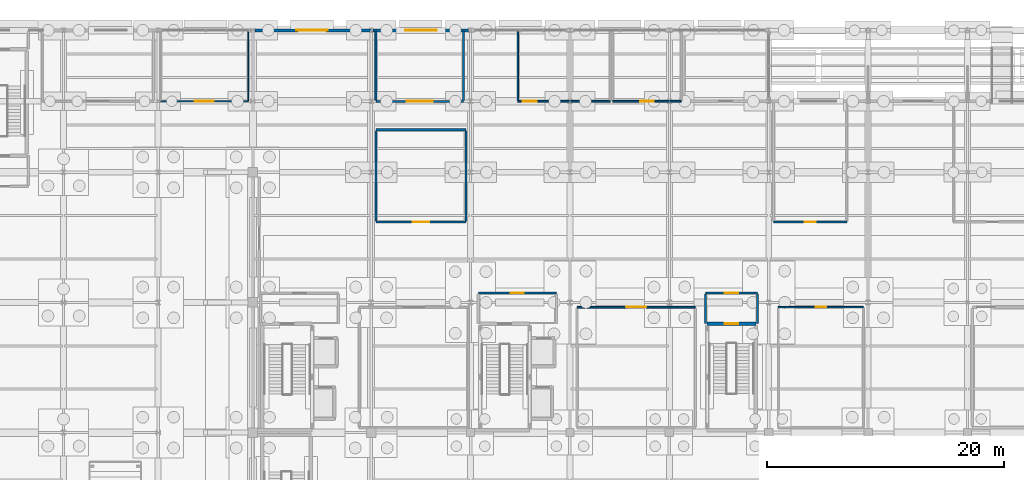
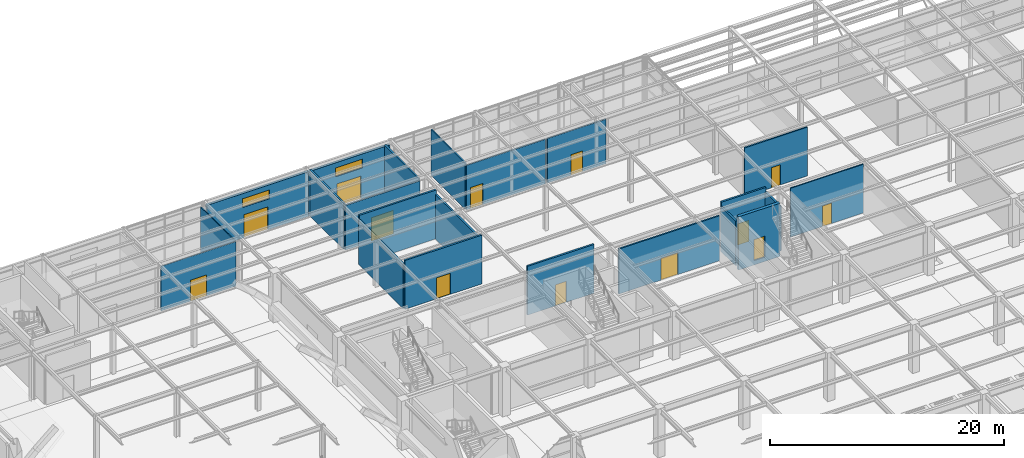
# One storey, part 106 of 129: 22 walls, 13 doors, 2 windows, 15 openings.
"""IFC4 building model written with IfcOpenShell, lengths in metres."""

from ifc_helpers import new_model, si_unit, direction, frame, frame_2d, origin, place, context, subcontext, project, spatial, rectangle, extrude, material, layer, layer_set, type_object, element, fill, save


model = new_model("IFC4")

# Units and contexts
model_context = context("Model", 3, precision=1e-05, world=origin(), true_north=direction((0.0, 1.0)))
body_context = subcontext(model_context, "Body", "Model", "MODEL_VIEW")
ifc_project = project(units=[si_unit("LENGTHUNIT", "METRE"), si_unit("AREAUNIT", "SQUARE_METRE"), si_unit("VOLUMEUNIT", "CUBIC_METRE"), si_unit("PLANEANGLEUNIT", "RADIAN"), si_unit("MASSUNIT", "GRAM", prefix="KILO")], contexts=[model_context])

# Site, building, storey
site_placement = place(None, origin())
site = spatial("IfcSite", under=ifc_project, at=site_placement, CompositionType="ELEMENT")
building_placement = place(site_placement, origin())
building = spatial("IfcBuilding", under=site, at=building_placement, Name="Sitalva Quay Ferry Terminal", CompositionType="ELEMENT")
storey_placement = place(building_placement, origin())
storey = spatial("IfcBuildingStorey", under=building, at=storey_placement, Name="L01", CompositionType="ELEMENT", Elevation=0.0)

# Wall, opening, door
ifc_material_1 = material(Name="Concrete C40/50", Category="concrete")
ifc_layer_1 = layer(ifc_material_1, 0.300048828125)
ifc_layer_set_1 = layer_set([ifc_layer_1], Name="Concrete C40/50")
wall_type_1 = type_object("IfcWallType", Name="Wall_CoreShear_300", PredefinedType="SHEAR", material=ifc_layer_set_1)
wall_1_placement = place(storey_placement, frame((112.39990234375, 87.199951171875, -0.449951171875), z_axis=(0.0, 0.0, 1.0), x_axis=(1.0, 0.0, 0.0)))
wall_1 = element("IfcWall", 1, at=wall_1_placement, inside=storey, type_object=wall_type_1, Name="Core C4 L01 north shear wall", PredefinedType="SHEAR", context=body_context, shape_type="SweptSolid", body=[
    extrude(rectangle(XDim=4.10009765625, YDim=0.300048828125, at=frame_2d((2.050048828125, 0.0))), origin(), (0.0, 0.0, 1.0), 5.570068359375),
])
opening_1_placement = place(wall_1_placement, frame((1.5, 0.0, 0.449951171875)))
opening_1 = element("IfcOpeningElement", 2, at=opening_1_placement, cuts=wall_1, Name="Opening D-L01-011", PredefinedType="OPENING", context=body_context, shape_type="SweptSolid", body=[
    extrude(rectangle(XDim=1.10009765625, YDim=2.199951171875, at=frame_2d((0.550048828125, 1.10009765625))), frame((0.0, 0.159912109375, 0.0), z_axis=(0.0, -1.0, 0.0), x_axis=(1.0, 0.0, 0.0)), (0.0, 0.0, 1.0), 0.320068359375),
])
ifc_material_2 = material(Name="Galvanised Steel Fire Door", Category="steel")
door_type_1 = type_object("IfcDoorType", Name="Door_CoreExit_1100x2200", OperationType="SINGLE_SWING_LEFT", PredefinedType="DOOR", material=ifc_material_2)
door_1_placement = place(opening_1_placement, origin())
door_1 = element("IfcDoor", 3, at=door_1_placement, inside=storey, type_object=door_type_1, Name="DOOR-D-L01-011 Protected stair ST-04 door D-L01-011", OperationType="SINGLE_SWING_LEFT", OverallHeight=2.199951171875, OverallWidth=1.10009765625, PredefinedType="DOOR", context=body_context, shape_type="SweptSolid", body=[
    extrude(rectangle(XDim=1.10009765625, YDim=2.199951171875, at=frame_2d((0.550048828125, 1.10009765625))), frame((0.0, 0.02490234375, 0.0), z_axis=(0.0, -1.0, 0.0), x_axis=(1.0, 0.0, 0.0)), (0.0, 0.0, 1.0), 0.050048828125),
])
fill(opening_1, door_1)

# Wall, openings, door, window
ifc_material_3 = material(Name="Concrete C40/50", Category="concrete")
ifc_layer_2 = layer(ifc_material_3, 0.260009765625)
ifc_layer_set_2 = layer_set([ifc_layer_2], Name="Concrete C40/50")
wall_type_2 = type_object("IfcWallType", Name="Wall_ExtSolid_260", PredefinedType="SOLIDWALL", material=ifc_layer_set_2)
wall_2_placement = place(storey_placement, frame((74.1630859375, 112.0, 0.0), z_axis=(0.0, 0.0, 1.0), x_axis=(1.0, 0.0, 0.0)))
wall_2 = element("IfcWall", 4, at=wall_2_placement, inside=storey, type_object=wall_type_2, Name="Main landside entrance portal EW-L01-155", PredefinedType="SOLIDWALL", context=body_context, shape_type="SweptSolid", body=[
    extrude(rectangle(XDim=10.018310546875, YDim=0.260009765625, at=frame_2d((5.00927734375, 0.0))), origin(), (0.0, 0.0, 1.0), 4.657958984375),
])
opening_2_placement = place(wall_2_placement, frame((3.636962890625, 0.0, 0.0)))
opening_2 = element("IfcOpeningElement", 5, at=opening_2_placement, cuts=wall_2, Name="Opening ED-L01-034", PredefinedType="OPENING", context=body_context, shape_type="SweptSolid", body=[
    extrude(rectangle(XDim=2.39990234375, YDim=2.39990234375, at=frame_2d((1.199951171875, 1.199951171875))), frame((0.0, 0.139892578125, 0.0), z_axis=(0.0, -1.0, 0.0), x_axis=(1.0, 0.0, 0.0)), (0.0, 0.0, 1.0), 0.280029296875),
])
opening_3_placement = place(wall_2_placement, frame((3.511962890625, 0.0, 3.199951171875)))
opening_3 = element("IfcOpeningElement", 6, at=opening_3_placement, cuts=wall_2, Name="Opening WN-L01-027", PredefinedType="OPENING", context=body_context, shape_type="SweptSolid", body=[
    extrude(rectangle(XDim=2.64990234375, YDim=0.919921875, at=frame_2d((1.324951171875, 0.4599609375))), frame((0.0, 0.139892578125, 0.0), z_axis=(0.0, -1.0, 0.0), x_axis=(1.0, 0.0, 0.0)), (0.0, 0.0, 1.0), 0.280029296875),
])
ifc_material_4 = material(Name="Anodised Aluminium & Toughened Glass", Category="aluminium")
door_type_2 = type_object("IfcDoorType", Name="Door_Entrance_2400x2400", OperationType="DOUBLE_DOOR_SINGLE_SWING", PredefinedType="DOOR", material=ifc_material_4)
door_2_placement = place(opening_2_placement, origin())
door_2 = element("IfcDoor", 7, at=door_2_placement, inside=storey, type_object=door_type_2, Name="EDOOR-ED-L01-034 Main landside terminal entrance ED-L01-034", OperationType="DOUBLE_DOOR_SINGLE_SWING", OverallHeight=2.39990234375, OverallWidth=2.39990234375, PredefinedType="DOOR", context=body_context, shape_type="SweptSolid", body=[
    extrude(rectangle(XDim=2.39990234375, YDim=2.39990234375, at=frame_2d((1.199951171875, 1.199951171875))), frame((0.0, 0.02490234375, 0.0), z_axis=(0.0, -1.0, 0.0), x_axis=(1.0, 0.0, 0.0)), (0.0, 0.0, 1.0), 0.050048828125),
])
fill(opening_2, door_2)
ifc_material_5 = material(Name="Anodised Aluminium & Low-E Glass", Category="aluminium")
window_type = type_object("IfcWindowType", Name="Win_TransomB_2650x920", PartitioningType="SINGLE_PANEL", PredefinedType="WINDOW", material=ifc_material_5)
window_1_placement = place(opening_3_placement, origin())
window_1 = element("IfcWindow", 8, at=window_1_placement, inside=storey, type_object=window_type, Name="Entrance transom window WN-L01-027", OverallHeight=0.919921875, OverallWidth=2.64990234375, PartitioningType="SINGLE_PANEL", PredefinedType="WINDOW", context=body_context, shape_type="SweptSolid", body=[
    extrude(rectangle(XDim=2.64990234375, YDim=0.919921875, at=frame_2d((1.324951171875, 0.4599609375))), frame((0.0, 0.030029296875, 0.0), z_axis=(0.0, -1.0, 0.0), x_axis=(1.0, 0.0, 0.0)), (0.0, 0.0, 1.0), 0.06005859375),
])
fill(opening_3, window_1)

wall_3_placement = place(storey_placement, frame((84.16943359375, 112.0, 0.0), z_axis=(0.0, 0.0, 1.0), x_axis=(1.0, 0.0, 0.0)))
wall_3 = element("IfcWall", 9, at=wall_3_placement, inside=storey, type_object=wall_type_2, Name="Main landside entrance portal EW-L01-156", PredefinedType="SOLIDWALL", context=body_context, shape_type="SweptSolid", body=[
    extrude(rectangle(XDim=8.06103515625, YDim=0.260009765625, at=frame_2d((4.030517578125, 0.0))), origin(), (0.0, 0.0, 1.0), 4.657958984375),
])
opening_4_placement = place(wall_3_placement, frame((2.83056640625, 0.0, 0.0)))
opening_4 = element("IfcOpeningElement", 10, at=opening_4_placement, cuts=wall_3, Name="Opening ED-L01-035", PredefinedType="OPENING", context=body_context, shape_type="SweptSolid", body=[
    extrude(rectangle(XDim=2.39990234375, YDim=2.39990234375, at=frame_2d((1.199951171875, 1.199951171875))), frame((0.0, 0.139892578125, 0.0), z_axis=(0.0, -1.0, 0.0), x_axis=(1.0, 0.0, 0.0)), (0.0, 0.0, 1.0), 0.280029296875),
])
opening_5_placement = place(wall_3_placement, frame((2.70556640625, 0.0, 3.199951171875)))
opening_5 = element("IfcOpeningElement", 11, at=opening_5_placement, cuts=wall_3, Name="Opening WN-L01-028", PredefinedType="OPENING", context=body_context, shape_type="SweptSolid", body=[
    extrude(rectangle(XDim=2.64990234375, YDim=0.919921875, at=frame_2d((1.324951171875, 0.4599609375))), frame((0.0, 0.139892578125, 0.0), z_axis=(0.0, -1.0, 0.0), x_axis=(1.0, 0.0, 0.0)), (0.0, 0.0, 1.0), 0.280029296875),
])
door_3_placement = place(opening_4_placement, origin())
door_3 = element("IfcDoor", 12, at=door_3_placement, inside=storey, type_object=door_type_2, Name="EDOOR-ED-L01-035 Main landside terminal entrance ED-L01-035", OperationType="DOUBLE_DOOR_SINGLE_SWING", OverallHeight=2.39990234375, OverallWidth=2.39990234375, PredefinedType="DOOR", context=body_context, shape_type="SweptSolid", body=[
    extrude(rectangle(XDim=2.39990234375, YDim=2.39990234375, at=frame_2d((1.199951171875, 1.199951171875))), frame((0.0, 0.02490234375, 0.0), z_axis=(0.0, -1.0, 0.0), x_axis=(1.0, 0.0, 0.0)), (0.0, 0.0, 1.0), 0.050048828125),
])
fill(opening_4, door_3)
window_2_placement = place(opening_5_placement, origin())
window_2 = element("IfcWindow", 13, at=window_2_placement, inside=storey, type_object=window_type, Name="Entrance transom window WN-L01-028", OverallHeight=0.919921875, OverallWidth=2.64990234375, PartitioningType="SINGLE_PANEL", PredefinedType="WINDOW", context=body_context, shape_type="SweptSolid", body=[
    extrude(rectangle(XDim=2.64990234375, YDim=0.919921875, at=frame_2d((1.324951171875, 0.4599609375))), frame((0.0, 0.030029296875, 0.0), z_axis=(0.0, -1.0, 0.0), x_axis=(1.0, 0.0, 0.0)), (0.0, 0.0, 1.0), 0.06005859375),
])
fill(opening_5, window_2)

# Wall, opening, door
ifc_material_6 = material(Name="Fire-Rated Blockwork C25/30", Category="masonry")
ifc_layer_3 = layer(ifc_material_6, 0.179931640625)
ifc_layer_set_3 = layer_set([ifc_layer_3], Name="Fire-Rated Blockwork C25/30")
wall_type_3 = type_object("IfcWallType", Name="Wall_FireLobby_180", PredefinedType="SOLIDWALL", material=ifc_layer_set_3)
wall_4_placement = place(storey_placement, frame((93.050048828125, 89.800048828125, 0.0), z_axis=(0.0, 0.0, 1.0), x_axis=(1.0, 0.0, 0.0)))
wall_4 = element("IfcWall", 14, at=wall_4_placement, inside=storey, type_object=wall_type_3, Name="Firefighting & Lift Lobby C2 N wall IW-L01-0016", PredefinedType="SOLIDWALL", context=body_context, shape_type="SweptSolid", body=[
    extrude(rectangle(XDim=6.599853515625, YDim=0.179931640625, at=frame_2d((3.2998046875, 0.0))), origin(), (0.0, 0.0, 1.0), 5.10009765625),
])
opening_6_placement = place(wall_4_placement, frame((2.75, 0.0, 0.0)))
opening_6 = element("IfcOpeningElement", 15, at=opening_6_placement, cuts=wall_4, Name="Opening ID-L01-006", PredefinedType="OPENING", context=body_context, shape_type="SweptSolid", body=[
    extrude(rectangle(XDim=1.10009765625, YDim=2.199951171875, at=frame_2d((0.550048828125, 1.10009765625))), frame((0.0, 0.099853515625, 0.0), z_axis=(0.0, -1.0, 0.0), x_axis=(1.0, 0.0, 0.0)), (0.0, 0.0, 1.0), 0.199951171875),
])
ifc_material_7 = material(Name="Steel Fire Door", Category="steel")
door_type_3 = type_object("IfcDoorType", Name="Door_FireLobby_1100x2200", OperationType="SINGLE_SWING_LEFT", PredefinedType="DOOR", material=ifc_material_7)
door_4_placement = place(opening_6_placement, origin())
door_4 = element("IfcDoor", 16, at=door_4_placement, inside=storey, type_object=door_type_3, Name="IDOOR-ID-L01-006 Firefighting & Lift Lobby C2 entrance ID-L01-006", OperationType="SINGLE_SWING_RIGHT", OverallHeight=2.199951171875, OverallWidth=1.10009765625, PredefinedType="DOOR", context=body_context, shape_type="SweptSolid", body=[
    extrude(rectangle(XDim=1.10009765625, YDim=2.199951171875, at=frame_2d((0.550048828125, 1.10009765625))), frame((0.0, 0.02490234375, 0.0), z_axis=(0.0, -1.0, 0.0), x_axis=(1.0, 0.0, 0.0)), (0.0, 0.0, 1.0), 0.050048828125),
])
fill(opening_6, door_4)

wall_5_placement = place(storey_placement, frame((112.25, 89.800048828125, 0.0), z_axis=(0.0, 0.0, 1.0), x_axis=(1.0, 0.0, 0.0)))
wall_5 = element("IfcWall", 17, at=wall_5_placement, inside=storey, type_object=wall_type_3, Name="Firefighting & Lift Lobby C4 N wall IW-L01-0031", PredefinedType="SOLIDWALL", context=body_context, shape_type="SweptSolid", body=[
    extrude(rectangle(XDim=4.39990234375, YDim=0.179931640625, at=frame_2d((2.199951171875, 0.0))), origin(), (0.0, 0.0, 1.0), 5.10009765625),
])
opening_7_placement = place(wall_5_placement, frame((1.64990234375, 0.0, 0.0)))
opening_7 = element("IfcOpeningElement", 18, at=opening_7_placement, cuts=wall_5, Name="Opening ID-L01-011", PredefinedType="OPENING", context=body_context, shape_type="SweptSolid", body=[
    extrude(rectangle(XDim=1.10009765625, YDim=2.199951171875, at=frame_2d((0.550048828125, 1.10009765625))), frame((0.0, 0.099853515625, 0.0), z_axis=(0.0, -1.0, 0.0), x_axis=(1.0, 0.0, 0.0)), (0.0, 0.0, 1.0), 0.199951171875),
])
door_5_placement = place(opening_7_placement, origin())
door_5 = element("IfcDoor", 19, at=door_5_placement, inside=storey, type_object=door_type_3, Name="IDOOR-ID-L01-011 Firefighting & Lift Lobby C4 entrance ID-L01-011", OperationType="SINGLE_SWING_LEFT", OverallHeight=2.199951171875, OverallWidth=1.10009765625, PredefinedType="DOOR", context=body_context, shape_type="SweptSolid", body=[
    extrude(rectangle(XDim=1.10009765625, YDim=2.199951171875, at=frame_2d((0.550048828125, 1.10009765625))), frame((0.0, 0.02490234375, 0.0), z_axis=(0.0, -1.0, 0.0), x_axis=(1.0, 0.0, 0.0)), (0.0, 0.0, 1.0), 0.050048828125),
])
fill(opening_7, door_5)

# Walls
for number, where, z_axis, x_axis, name in (
    (20, (112.25, 87.199951171875, 0.0), (0.0, 0.0, 1.0), (0.0, 1.0, 0.0), "Firefighting & Lift Lobby C4 W wall IW-L01-0032"),
    (21, (116.64990234375, 87.199951171875, 0.0), (0.0, 0.0, 1.0), (0.0, 1.0, 0.0), "Firefighting & Lift Lobby C4 E wall IW-L01-0033"),
):
    element("IfcWall", number, at=place(storey_placement, frame(where, z_axis=z_axis, x_axis=x_axis)), inside=storey, type_object=wall_type_3, Name=name, PredefinedType="SOLIDWALL", context=body_context, shape_type="SweptSolid", body=[
        extrude(rectangle(XDim=2.510009765625, YDim=0.179931640625, at=frame_2d((1.2548828125, 0.0))), origin(), (0.0, 0.0, 1.0), 4.659912109375),
    ])

# Wall, opening, door
wall_6_placement = place(storey_placement, frame((84.39990234375, 95.800048828125, 0.0), z_axis=(0.0, 0.0, 1.0), x_axis=(1.0, 0.0, 0.0)))
wall_6 = element("IfcWall", 22, at=wall_6_placement, inside=storey, type_object=wall_type_3, Name="Catering Prep Kitchen & Cold Store S wall IW-L01-0172", PredefinedType="SOLIDWALL", context=body_context, shape_type="SweptSolid", body=[
    extrude(rectangle(XDim=7.60009765625, YDim=0.179931640625, at=frame_2d((3.800048828125, 0.0))), origin(), (0.0, 0.0, 1.0), 5.10009765625),
])
opening_8_placement = place(wall_6_placement, frame((3.10009765625, 0.0, 0.0)))
opening_8 = element("IfcOpeningElement", 23, at=opening_8_placement, cuts=wall_6, Name="Opening ID-L01-062", PredefinedType="OPENING", context=body_context, shape_type="SweptSolid", body=[
    extrude(rectangle(XDim=1.39990234375, YDim=2.199951171875, at=frame_2d((0.699951171875, 1.10009765625))), frame((0.0, 0.099853515625, 0.0), z_axis=(0.0, -1.0, 0.0), x_axis=(1.0, 0.0, 0.0)), (0.0, 0.0, 1.0), 0.199951171875),
])
ifc_material_8 = material(Name="Stainless Steel Catering Door", Category="steel")
door_type_4 = type_object("IfcDoorType", Name="Door_Kitchen_1400x2200", OperationType="DOUBLE_DOOR_DOUBLE_SWING", PredefinedType="DOOR", material=ifc_material_8)
door_6_placement = place(opening_8_placement, origin())
door_6 = element("IfcDoor", 24, at=door_6_placement, inside=storey, type_object=door_type_4, Name="IDOOR-ID-L01-062 Catering Prep Kitchen & Cold Store entrance ID-L01-062", OperationType="DOUBLE_DOOR_DOUBLE_SWING", OverallHeight=2.199951171875, OverallWidth=1.39990234375, PredefinedType="DOOR", context=body_context, shape_type="SweptSolid", body=[
    extrude(rectangle(XDim=1.39990234375, YDim=2.199951171875, at=frame_2d((0.699951171875, 1.10009765625))), frame((0.0, 0.02490234375, 0.0), z_axis=(0.0, -1.0, 0.0), x_axis=(1.0, 0.0, 0.0)), (0.0, 0.0, 1.0), 0.050048828125),
])
fill(opening_8, door_6)

# Walls
wall_7_placement = place(storey_placement, frame((84.39990234375, 103.60009765625, 0.0), z_axis=(0.0, 0.0, 1.0), x_axis=(1.0, 0.0, 0.0)))
element("IfcWall", 25, at=wall_7_placement, inside=storey, type_object=wall_type_3, Name="Catering Prep Kitchen & Cold Store N wall IW-L01-0173", PredefinedType="SOLIDWALL", context=body_context, shape_type="SweptSolid", body=[
    extrude(rectangle(XDim=7.60009765625, YDim=0.179931640625, at=frame_2d((3.800048828125, 0.0))), origin(), (0.0, 0.0, 1.0), 5.10009765625),
])
for number, where, z_axis, x_axis, name in (
    (26, (84.39990234375, 95.889892578125, 0.0), (0.0, 0.0, 1.0), (0.0, 1.0, 0.0), "Catering Prep Kitchen & Cold Store W wall IW-L01-0174"),
    (27, (92.0, 95.889892578125, 0.0), (0.0, 0.0, 1.0), (0.0, 1.0, 0.0), "Catering Prep Kitchen & Cold Store E wall IW-L01-0175"),
):
    element("IfcWall", number, at=place(storey_placement, frame(where, z_axis=z_axis, x_axis=x_axis)), inside=storey, type_object=wall_type_3, Name=name, PredefinedType="SOLIDWALL", context=body_context, shape_type="SweptSolid", body=[
        extrude(rectangle(XDim=7.6201171875, YDim=0.179931640625, at=frame_2d((3.81005859375, 0.0))), origin(), (0.0, 0.0, 1.0), 4.659912109375),
    ])

# Wall, opening, door
ifc_material_9 = material(Name="Framed Acoustic Glass Partition", Category="glass")
ifc_layer_4 = layer(ifc_material_9, 0.10009765625)
ifc_layer_set_4 = layer_set([ifc_layer_4], Name="Framed Acoustic Glass Partition")
wall_type_4 = type_object("IfcWallType", Name="Wall_GlazedScreen_100", PredefinedType="MOVABLE", material=ifc_layer_set_4)
wall_8_placement = place(storey_placement, frame((66.199951171875, 106.0, 0.0), z_axis=(0.0, 0.0, 1.0), x_axis=(1.0, 0.0, 0.0)))
wall_8 = element("IfcWall", 28, at=wall_8_placement, inside=storey, type_object=wall_type_4, Name="Passenger Information & BIWTA Desk S wall IW-L01-0132", PredefinedType="MOVABLE", context=body_context, shape_type="SweptSolid", body=[
    extrude(rectangle(XDim=7.400146484375, YDim=0.10009765625, at=frame_2d((3.7001953125, 0.0))), origin(), (0.0, 0.0, 1.0), 4.659912109375),
])
opening_9_placement = place(wall_8_placement, frame((2.89990234375, 0.0, 0.0)))
opening_9 = element("IfcOpeningElement", 29, at=opening_9_placement, cuts=wall_8, Name="Opening ID-L01-049", PredefinedType="OPENING", context=body_context, shape_type="SweptSolid", body=[
    extrude(rectangle(XDim=1.60009765625, YDim=2.199951171875, at=frame_2d((0.800048828125, 1.10009765625))), frame((0.0, 0.06005859375, 0.0), z_axis=(0.0, -1.0, 0.0), x_axis=(1.0, 0.0, 0.0)), (0.0, 0.0, 1.0), 0.1201171875),
])
ifc_material_10 = material(Name="Glazed Timber Acoustic Door", Category="wood")
door_type_5 = type_object("IfcDoorType", Name="Door_Meeting_1600x2200", OperationType="DOUBLE_DOOR_SINGLE_SWING", PredefinedType="DOOR", material=ifc_material_10)
door_7_placement = place(opening_9_placement, origin())
door_7 = element("IfcDoor", 30, at=door_7_placement, inside=storey, type_object=door_type_5, Name="IDOOR-ID-L01-049 Passenger Information & BIWTA Desk entrance ID-L01-049", OperationType="DOUBLE_DOOR_SINGLE_SWING", OverallHeight=2.199951171875, OverallWidth=1.60009765625, PredefinedType="DOOR", context=body_context, shape_type="SweptSolid", body=[
    extrude(rectangle(XDim=1.60009765625, YDim=2.199951171875, at=frame_2d((0.800048828125, 1.10009765625))), frame((0.0, 0.02490234375, 0.0), z_axis=(0.0, -1.0, 0.0), x_axis=(1.0, 0.0, 0.0)), (0.0, 0.0, 1.0), 0.050048828125),
])
fill(opening_9, door_7)

# Wall
wall_9_placement = place(storey_placement, frame((73.60009765625, 106.050048828125, 0.0), z_axis=(0.0, 0.0, 1.0), x_axis=(0.0, 1.0, 0.0)))
element("IfcWall", 31, at=wall_9_placement, inside=storey, type_object=wall_type_4, Name="Passenger Information & BIWTA Desk E wall IW-L01-0134", PredefinedType="MOVABLE", context=body_context, shape_type="SweptSolid", body=[
    extrude(rectangle(XDim=5.869873046875, YDim=0.10009765625, at=frame_2d((2.93505859375, 0.0))), origin(), (0.0, 0.0, 1.0), 4.659912109375),
])

# Wall, opening, door
ifc_material_11 = material(Name="Lightweight Steel-Stud Gypsum Partition", Category="steel")
ifc_layer_5 = layer(ifc_material_11, 0.114990234375)
ifc_layer_set_5 = layer_set([ifc_layer_5], Name="Lightweight Steel-Stud Gypsum Partition")
wall_type_5 = type_object("IfcWallType", Name="Wall_Partition_115", PredefinedType="PARTITIONING", material=ifc_layer_set_5)
wall_10_placement = place(storey_placement, frame((118.39990234375, 88.60009765625, 0.0), z_axis=(0.0, 0.0, 1.0), x_axis=(1.0, 0.0, 0.0)))
wall_10 = element("IfcWall", 32, at=wall_10_placement, inside=storey, type_object=wall_type_5, Name="Covered Cycle Hub & Crew Lockers N wall IW-L01-0198", PredefinedType="PARTITIONING", context=body_context, shape_type="SweptSolid", body=[
    extrude(rectangle(XDim=7.2001953125, YDim=0.114990234375, at=frame_2d((3.60009765625, 0.0))), origin(), (0.0, 0.0, 1.0), 5.10009765625),
])
opening_10_placement = place(wall_10_placement, frame((3.14990234375, 0.0, 0.0)))
opening_10 = element("IfcOpeningElement", 33, at=opening_10_placement, cuts=wall_10, Name="Opening ID-L01-070", PredefinedType="OPENING", context=body_context, shape_type="SweptSolid", body=[
    extrude(rectangle(XDim=0.89990234375, YDim=2.14990234375, at=frame_2d((0.449951171875, 1.074951171875))), frame((0.0, 0.0673828125, 0.0), z_axis=(0.0, -1.0, 0.0), x_axis=(1.0, 0.0, 0.0)), (0.0, 0.0, 1.0), 0.135009765625),
])
ifc_material_12 = material(Name="Painted Timber Fire Door", Category="wood")
door_type_6 = type_object("IfcDoorType", Name="Door_Store_900x2150", OperationType="SINGLE_SWING_RIGHT", PredefinedType="DOOR", material=ifc_material_12)
door_8_placement = place(opening_10_placement, origin())
door_8 = element("IfcDoor", 34, at=door_8_placement, inside=storey, type_object=door_type_6, Name="IDOOR-ID-L01-070 Covered Cycle Hub & Crew Lockers entrance ID-L01-070", OperationType="SINGLE_SWING_RIGHT", OverallHeight=2.14990234375, OverallWidth=0.89990234375, PredefinedType="DOOR", context=body_context, shape_type="SweptSolid", body=[
    extrude(rectangle(XDim=0.89990234375, YDim=2.14990234375, at=frame_2d((0.449951171875, 1.074951171875))), frame((0.0, 0.02490234375, 0.0), z_axis=(0.0, -1.0, 0.0), x_axis=(1.0, 0.0, 0.0)), (0.0, 0.0, 1.0), 0.050048828125),
])
fill(opening_10, door_8)

ifc_material_13 = material(Name="Acoustic Double-Board Gypsum Partition", Category="gypsum")
ifc_layer_6 = layer(ifc_material_13, 0.135009765625)
ifc_layer_set_6 = layer_set([ifc_layer_6], Name="Acoustic Double-Board Gypsum Partition")
wall_type_6 = type_object("IfcWallType", Name="Wall_Partition_135", PredefinedType="PARTITIONING", material=ifc_layer_set_6)
wall_11_placement = place(storey_placement, frame((96.39990234375, 106.0, 0.0), z_axis=(0.0, 0.0, 1.0), x_axis=(1.0, 0.0, 0.0)))
wall_11 = element("IfcWall", 35, at=wall_11_placement, inside=storey, type_object=wall_type_6, Name="Port First-Aid & Triage Clinic S wall IW-L01-0138", PredefinedType="PARTITIONING", context=body_context, shape_type="SweptSolid", body=[
    extrude(rectangle(XDim=7.800048828125, YDim=0.135009765625, at=frame_2d((3.89990234375, 0.0))), origin(), (0.0, 0.0, 1.0), 4.659912109375),
])
opening_11_placement = place(wall_11_placement, frame((0.39990234375, 0.0, 0.0)))
opening_11 = element("IfcOpeningElement", 36, at=opening_11_placement, cuts=wall_11, Name="Opening ID-L01-051", PredefinedType="OPENING", context=body_context, shape_type="SweptSolid", body=[
    extrude(rectangle(XDim=1.199951171875, YDim=2.199951171875, at=frame_2d((0.60009765625, 1.10009765625))), frame((0.0, 0.077392578125, 0.0), z_axis=(0.0, -1.0, 0.0), x_axis=(1.0, 0.0, 0.0)), (0.0, 0.0, 1.0), 0.155029296875),
])
ifc_material_14 = material(Name="Hygienic Hospital-Leaf Door", Category="wood")
door_type_7 = type_object("IfcDoorType", Name="Door_Medical_1200x2200", OperationType="SINGLE_SWING_LEFT", PredefinedType="DOOR", material=ifc_material_14)
door_9_placement = place(opening_11_placement, origin())
door_9 = element("IfcDoor", 37, at=door_9_placement, inside=storey, type_object=door_type_7, Name="IDOOR-ID-L01-051 Port First-Aid & Triage Clinic entrance ID-L01-051", OperationType="SINGLE_SWING_LEFT", OverallHeight=2.199951171875, OverallWidth=1.199951171875, PredefinedType="DOOR", context=body_context, shape_type="SweptSolid", body=[
    extrude(rectangle(XDim=1.199951171875, YDim=2.199951171875, at=frame_2d((0.60009765625, 1.10009765625))), frame((0.0, 0.02490234375, 0.0), z_axis=(0.0, -1.0, 0.0), x_axis=(1.0, 0.0, 0.0)), (0.0, 0.0, 1.0), 0.050048828125),
])
fill(opening_11, door_9)

# Wall
wall_12_placement = place(storey_placement, frame((96.39990234375, 106.0673828125, 0.0), z_axis=(0.0, 0.0, 1.0), x_axis=(0.0, 1.0, 0.0)))
element("IfcWall", 38, at=wall_12_placement, inside=storey, type_object=wall_type_6, Name="Port First-Aid & Triage Clinic W wall IW-L01-0139", PredefinedType="PARTITIONING", context=body_context, shape_type="SweptSolid", body=[
    extrude(rectangle(XDim=5.8525390625, YDim=0.135009765625, at=frame_2d((2.92626953125, 0.0))), origin(), (0.0, 0.0, 1.0), 4.806884765625),
])

# Wall, opening, door
wall_13_placement = place(storey_placement, frame((104.39990234375, 106.0, 0.0), z_axis=(0.0, 0.0, 1.0), x_axis=(1.0, 0.0, 0.0)))
wall_13 = element("IfcWall", 39, at=wall_13_placement, inside=storey, type_object=wall_type_6, Name="Port Medical Isolation & Triage Room S wall IW-L01-0141", PredefinedType="PARTITIONING", context=body_context, shape_type="SweptSolid", body=[
    extrude(rectangle(XDim=5.800048828125, YDim=0.135009765625, at=frame_2d((2.89990234375, 0.0))), origin(), (0.0, 0.0, 1.0), 4.659912109375),
])
opening_12_placement = place(wall_13_placement, frame((2.340087890625, 0.0, 0.0)))
opening_12 = element("IfcOpeningElement", 40, at=opening_12_placement, cuts=wall_13, Name="Opening ID-L01-052", PredefinedType="OPENING", context=body_context, shape_type="SweptSolid", body=[
    extrude(rectangle(XDim=1.1201171875, YDim=2.14990234375, at=frame_2d((0.56005859375, 1.074951171875))), frame((0.0, 0.077392578125, 0.0), z_axis=(0.0, -1.0, 0.0), x_axis=(1.0, 0.0, 0.0)), (0.0, 0.0, 1.0), 0.155029296875),
])
ifc_material_15 = material(Name="Hygienic Acoustic Door", Category="wood")
door_type_8 = type_object("IfcDoorType", Name="Door_ClinicExam_1120x2150", OperationType="SINGLE_SWING_LEFT", PredefinedType="DOOR", material=ifc_material_15)
door_10_placement = place(opening_12_placement, origin())
door_10 = element("IfcDoor", 41, at=door_10_placement, inside=storey, type_object=door_type_8, Name="IDOOR-ID-L01-052 Port Medical Isolation & Triage Room entrance ID-L01-052", OperationType="SINGLE_SWING_RIGHT", OverallHeight=2.14990234375, OverallWidth=1.1201171875, PredefinedType="DOOR", context=body_context, shape_type="SweptSolid", body=[
    extrude(rectangle(XDim=1.1201171875, YDim=2.14990234375, at=frame_2d((0.56005859375, 1.074951171875))), frame((0.0, 0.02490234375, 0.0), z_axis=(0.0, -1.0, 0.0), x_axis=(1.0, 0.0, 0.0)), (0.0, 0.0, 1.0), 0.050048828125),
])
fill(opening_12, door_10)

ifc_material_16 = material(Name="Acoustic Twin-Stud Gypsum Partition", Category="gypsum")
ifc_layer_7 = layer(ifc_material_16, 0.14990234375)
ifc_layer_set_7 = layer_set([ifc_layer_7], Name="Acoustic Twin-Stud Gypsum Partition")
wall_type_7 = type_object("IfcWallType", Name="Wall_Partition_150", PredefinedType="PARTITIONING", material=ifc_layer_set_7)
wall_14_placement = place(storey_placement, frame((101.39990234375, 88.60009765625, 0.0), z_axis=(0.0, 0.0, 1.0), x_axis=(1.0, 0.0, 0.0)))
wall_14 = element("IfcWall", 42, at=wall_14_placement, inside=storey, type_object=wall_type_7, Name="Quayside Tea House & Bakery N wall IW-L01-0169", PredefinedType="PARTITIONING", context=body_context, shape_type="SweptSolid", body=[
    extrude(rectangle(XDim=10.0, YDim=0.14990234375, at=frame_2d((5.0, 0.0))), origin(), (0.0, 0.0, 1.0), 4.702880859375),
])
opening_13_placement = place(wall_14_placement, frame((4.159912109375, 0.0, 0.0)))
opening_13 = element("IfcOpeningElement", 43, at=opening_13_placement, cuts=wall_14, Name="Opening ID-L01-061", PredefinedType="OPENING", context=body_context, shape_type="SweptSolid", body=[
    extrude(rectangle(XDim=1.679931640625, YDim=2.300048828125, at=frame_2d((0.83984375, 1.14990234375))), frame((0.0, 0.0849609375, 0.0), z_axis=(0.0, -1.0, 0.0), x_axis=(1.0, 0.0, 0.0)), (0.0, 0.0, 1.0), 0.169921875),
])
ifc_material_17 = material(Name="Bronze-Framed Glazed Lounge Door", Category="aluminium")
door_type_9 = type_object("IfcDoorType", Name="Door_CafeInt_1680x2300", OperationType="DOUBLE_DOOR_SINGLE_SWING", PredefinedType="DOOR", material=ifc_material_17)
door_11_placement = place(opening_13_placement, origin())
door_11 = element("IfcDoor", 44, at=door_11_placement, inside=storey, type_object=door_type_9, Name="IDOOR-ID-L01-061 Quayside Tea House & Bakery entrance ID-L01-061", OperationType="DOUBLE_DOOR_SINGLE_SWING", OverallHeight=2.300048828125, OverallWidth=1.679931640625, PredefinedType="DOOR", context=body_context, shape_type="SweptSolid", body=[
    extrude(rectangle(XDim=1.679931640625, YDim=2.300048828125, at=frame_2d((0.83984375, 1.14990234375))), frame((0.0, 0.02490234375, 0.0), z_axis=(0.0, -1.0, 0.0), x_axis=(1.0, 0.0, 0.0)), (0.0, 0.0, 1.0), 0.050048828125),
])
fill(opening_13, door_11)

ifc_material_18 = material(Name="High-Acoustic Twin-Stud Partition", Category="gypsum")
ifc_layer_8 = layer(ifc_material_18, 0.1650390625)
ifc_layer_set_8 = layer_set([ifc_layer_8], Name="High-Acoustic Twin-Stud Partition")
wall_type_8 = type_object("IfcWallType", Name="Wall_Partition_165", PredefinedType="PARTITIONING", material=ifc_layer_set_8)
wall_15_placement = place(storey_placement, frame((84.39990234375, 106.0, 0.0), z_axis=(0.0, 0.0, 1.0), x_axis=(1.0, 0.0, 0.0)))
wall_15 = element("IfcWall", 45, at=wall_15_placement, inside=storey, type_object=wall_type_8, Name="Riverfront VIP & Diplomatic Lounge S wall IW-L01-0135", PredefinedType="PARTITIONING", context=body_context, shape_type="SweptSolid", body=[
    extrude(rectangle(XDim=7.400146484375, YDim=0.1650390625, at=frame_2d((3.7001953125, 0.0))), origin(), (0.0, 0.0, 1.0), 4.659912109375),
])
opening_14_placement = place(wall_15_placement, frame((2.60009765625, 0.0, 0.0)))
opening_14 = element("IfcOpeningElement", 46, at=opening_14_placement, cuts=wall_15, Name="Opening ID-L01-050", PredefinedType="OPENING", context=body_context, shape_type="SweptSolid", body=[
    extrude(rectangle(XDim=2.199951171875, YDim=2.449951171875, at=frame_2d((1.10009765625, 1.22509765625))), frame((0.0, 0.092529296875, 0.0), z_axis=(0.0, -1.0, 0.0), x_axis=(1.0, 0.0, 0.0)), (0.0, 0.0, 1.0), 0.18505859375),
])
ifc_material_19 = material(Name="Frameless Toughened Glass Portal", Category="glass")
door_type_10 = type_object("IfcDoorType", Name="Door_Concourse_2200x2450", OperationType="DOUBLE_DOOR_SINGLE_SWING", PredefinedType="DOOR", material=ifc_material_19)
door_12_placement = place(opening_14_placement, origin())
door_12 = element("IfcDoor", 47, at=door_12_placement, inside=storey, type_object=door_type_10, Name="IDOOR-ID-L01-050 Riverfront VIP & Diplomatic Lounge entrance ID-L01-050", OperationType="DOUBLE_DOOR_SINGLE_SWING", OverallHeight=2.449951171875, OverallWidth=2.199951171875, PredefinedType="DOOR", context=body_context, shape_type="SweptSolid", body=[
    extrude(rectangle(XDim=2.199951171875, YDim=2.449951171875, at=frame_2d((1.10009765625, 1.22509765625))), frame((0.0, 0.02490234375, 0.0), z_axis=(0.0, -1.0, 0.0), x_axis=(1.0, 0.0, 0.0)), (0.0, 0.0, 1.0), 0.050048828125),
])
fill(opening_14, door_12)

# Walls
for number, where, z_axis, x_axis, name in (
    (48, (84.39990234375, 106.08251953125, 0.0), (0.0, 0.0, 1.0), (0.0, 1.0, 0.0), "Riverfront VIP & Diplomatic Lounge W wall IW-L01-0136"),
    (49, (91.800048828125, 106.08251953125, 0.0), (0.0, 0.0, 1.0), (0.0, 1.0, 0.0), "Riverfront VIP & Diplomatic Lounge E wall IW-L01-0137"),
):
    element("IfcWall", number, at=place(storey_placement, frame(where, z_axis=z_axis, x_axis=x_axis)), inside=storey, type_object=wall_type_8, Name=name, PredefinedType="PARTITIONING", context=body_context, shape_type="SweptSolid", body=[
        extrude(rectangle(XDim=5.83740234375, YDim=0.1650390625, at=frame_2d((2.918701171875, 0.0))), origin(), (0.0, 0.0, 1.0), 4.806884765625),
    ])

# Wall, opening, door
ifc_material_20 = material(Name="Moisture-Resistant Cement Board Partition", Category="gypsum")
ifc_layer_9 = layer(ifc_material_20, 0.139892578125)
ifc_layer_set_9 = layer_set([ifc_layer_9], Name="Moisture-Resistant Cement Board Partition")
wall_type_9 = type_object("IfcWallType", Name="Wall_WetRoom_140", PredefinedType="PARTITIONING", material=ifc_layer_set_9)
wall_16_placement = place(storey_placement, frame((118.0, 95.800048828125, 0.0), z_axis=(0.0, 0.0, 1.0), x_axis=(1.0, 0.0, 0.0)))
wall_16 = element("IfcWall", 50, at=wall_16_placement, inside=storey, type_object=wall_type_9, Name="East Concourse Male Public Toilets S wall IW-L01-0176", PredefinedType="PARTITIONING", context=body_context, shape_type="SweptSolid", body=[
    extrude(rectangle(XDim=6.199951171875, YDim=0.139892578125, at=frame_2d((3.10009765625, 0.0))), origin(), (0.0, 0.0, 1.0), 5.10009765625),
])
opening_15_placement = place(wall_16_placement, frame((2.64990234375, 0.0, 0.0)))
opening_15 = element("IfcOpeningElement", 51, at=opening_15_placement, cuts=wall_16, Name="Opening ID-L01-063", PredefinedType="OPENING", context=body_context, shape_type="SweptSolid", body=[
    extrude(rectangle(XDim=0.89990234375, YDim=2.10009765625, at=frame_2d((0.449951171875, 1.050048828125))), frame((0.0, 0.079833984375, 0.0), z_axis=(0.0, -1.0, 0.0), x_axis=(1.0, 0.0, 0.0)), (0.0, 0.0, 1.0), 0.159912109375),
])
ifc_material_21 = material(Name="High-Pressure Laminate Door", Category="wood")
door_type_11 = type_object("IfcDoorType", Name="Door_WC_900x2100", OperationType="SINGLE_SWING_LEFT", PredefinedType="DOOR", material=ifc_material_21)
door_13_placement = place(opening_15_placement, origin())
door_13 = element("IfcDoor", 52, at=door_13_placement, inside=storey, type_object=door_type_11, Name="IDOOR-ID-L01-063 East Concourse Male Public Toilets entrance ID-L01-063", OperationType="SINGLE_SWING_LEFT", OverallHeight=2.10009765625, OverallWidth=0.89990234375, PredefinedType="DOOR", context=body_context, shape_type="SweptSolid", body=[
    extrude(rectangle(XDim=0.89990234375, YDim=2.10009765625, at=frame_2d((0.449951171875, 1.050048828125))), frame((0.0, 0.02490234375, 0.0), z_axis=(0.0, -1.0, 0.0), x_axis=(1.0, 0.0, 0.0)), (0.0, 0.0, 1.0), 0.050048828125),
])
fill(opening_15, door_13)

save(model, "model.ifc")
